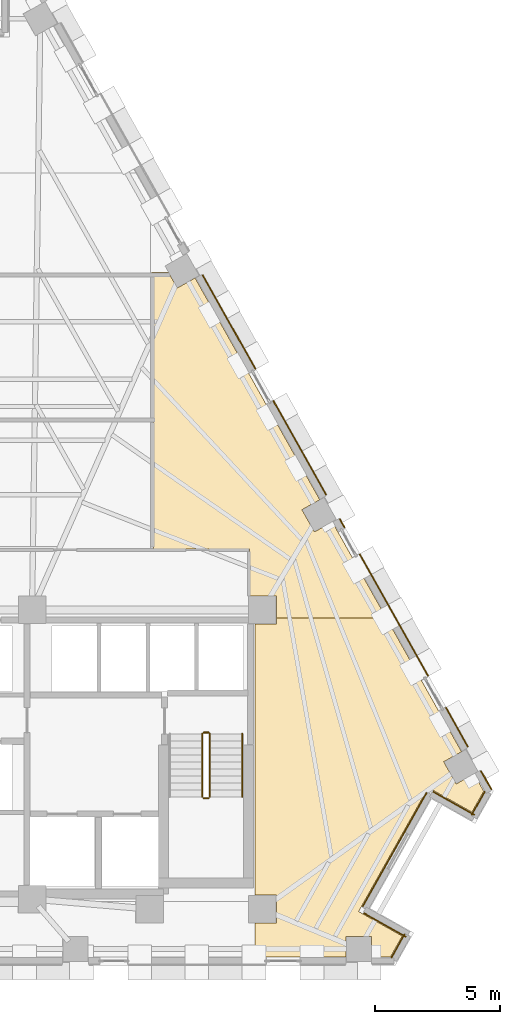
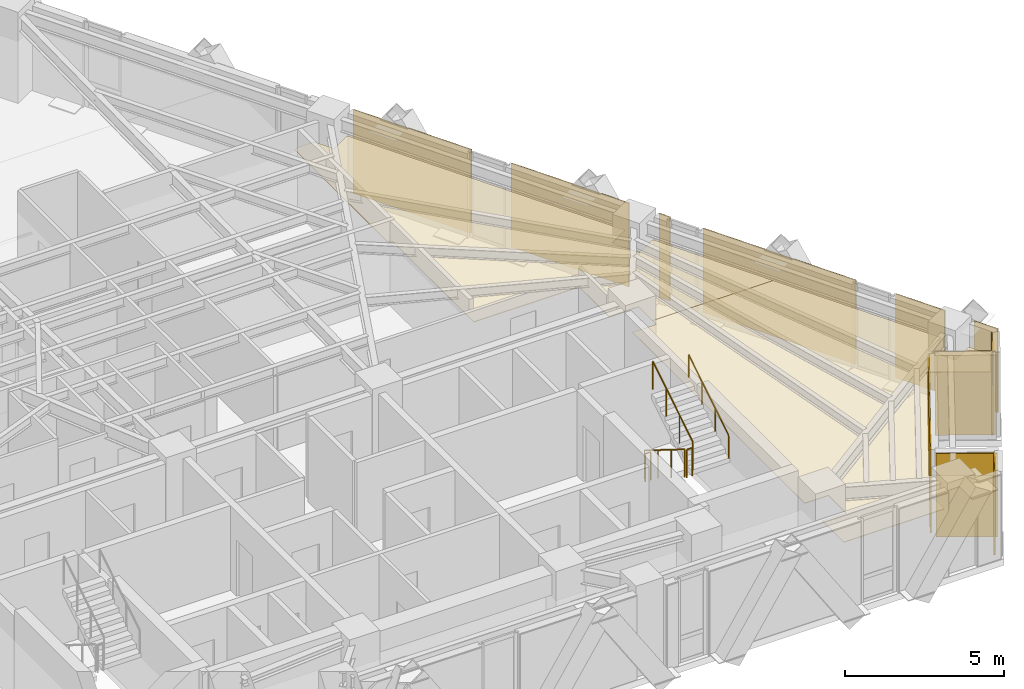
# One storey, part 12 of 13: 13 coverings, 5 railings.
"""IFC4 building model written with IfcOpenShell, lengths in metres."""

from ifc_helpers import new_model, si_unit, direction, frame, origin, origin_2d, place, context, subcontext, project, spatial, polyline, circle, outline, extrude, material, layer, layer_set, type_object, element, save


model = new_model("IFC4")

# Units and contexts
model_context = context("Model", 3, precision=1e-05, world=origin(), true_north=direction((0.0, 1.0)))
body_context = subcontext(model_context, "Body", "Model", "MODEL_VIEW")
ifc_project = project(units=[si_unit("LENGTHUNIT", "METRE"), si_unit("AREAUNIT", "SQUARE_METRE"), si_unit("VOLUMEUNIT", "CUBIC_METRE"), si_unit("PLANEANGLEUNIT", "RADIAN"), si_unit("MASSUNIT", "GRAM", prefix="KILO")], contexts=[model_context])

# Site, building, storey
site_placement = place(None, origin())
site = spatial("IfcSite", under=ifc_project, at=site_placement, CompositionType="ELEMENT")
building_placement = place(site_placement, origin())
building = spatial("IfcBuilding", under=site, at=building_placement, Name="Quenlor Broadcast Tower", CompositionType="ELEMENT")
storey_placement = place(building_placement, frame((0.0, 0.0, 147.5)))
storey = spatial("IfcBuildingStorey", under=building, at=storey_placement, Name="L40", CompositionType="ELEMENT", Elevation=147.5)

# Coverings
ifc_material_1 = material(Name="Acoustic Mineral Fibre Board", Category="other")
ifc_layer_1 = layer(ifc_material_1, 0.02490234375)
ifc_layer_set_1 = layer_set([ifc_layer_1], Name="Acoustic Perforated Mineral Tile Ceiling 25")
covering_type_1 = type_object("IfcCoveringType", Name="Acoustic Perforated Mineral Tile Ceiling 25", PredefinedType="CEILING", material=ifc_layer_set_1)
covering_1_placement = place(storey_placement, frame((0.0, 0.0, 2.375)))
element("IfcCovering", 1, at=covering_1_placement, inside=storey, type_object=covering_type_1, Name="L40 Acoustic Ceiling L40-35-2", PredefinedType="CEILING", context=body_context, shape_type="SweptSolid", body=[
    extrude(outline(polyline([(13.508056640625, -4.241943359375), (12.43994140625, -4.241943359375), (12.43994140625, -2.3701171875), (8.60009765625, -2.3701171875), (8.60009765625, 2.7099609375), (8.57080078125, 2.712890625), (8.54248046875, 2.721435546875), (8.5166015625, 2.7353515625), (8.493896484375, 2.75390625), (8.475341796875, 2.776611328125), (8.46142578125, 2.802490234375), (8.452880859375, 2.830810546875), (8.449951171875, 2.860107421875), (8.449951171875, 8.5400390625), (8.452880859375, 8.5693359375), (8.46142578125, 8.597412109375), (8.475341796875, 8.623291015625), (8.493896484375, 8.64599609375), (8.5166015625, 8.664794921875), (8.54248046875, 8.6787109375), (8.57080078125, 8.68701171875), (8.60009765625, 8.68994140625), (9.19580078125, 8.68994140625), (9.54931640625, 8.0615234375), (10.26220703125, 8.46240234375), (11.85791015625, 5.62548828125), (13.487060546875, 2.7294921875), (15.2451171875, -0.39599609375), (14.5322265625, -0.797119140625), (15.0302734375, -1.6826171875), (15.7431640625, -1.281494140625), (17.90234375, -5.1201171875), (13.508056640625, -5.1201171875), (13.508056640625, -4.241943359375)])), origin(), (0.0, 0.0, 1.0), 0.02490234375),
])
covering_2_placement = place(storey_placement, frame((0.0, 0.0, 2.375)))
element("IfcCovering", 2, at=covering_2_placement, inside=storey, type_object=covering_type_1, Name="L40 Acoustic Ceiling L40-35-6", PredefinedType="CEILING", context=body_context, shape_type="SweptSolid", body=[
    extrude(outline(polyline([(13.508056640625, -17.30810546875), (13.508056640625, -16.19189453125), (12.64990234375, -16.19189453125), (12.64990234375, -5.35791015625), (13.508056640625, -5.35791015625), (13.508056640625, -5.1201171875), (17.90234375, -5.1201171875), (20.90869140625, -10.46484375), (20.19580078125, -10.86572265625), (20.694091796875, -11.751220703125), (21.406982421875, -11.350341796875), (21.794921875, -12.0400390625), (21.323486328125, -12.878173828125), (19.580322265625, -11.8974609375), (16.795654296875, -16.847900390625), (18.538818359375, -17.82861328125), (18.071044921875, -18.659912109375), (17.31640625, -18.659912109375), (17.31640625, -17.842041015625), (16.30029296875, -17.842041015625), (16.30029296875, -18.659912109375), (12.64990234375, -18.659912109375), (12.64990234375, -17.30810546875), (13.508056640625, -17.30810546875)])), origin(), (0.0, 0.0, 1.0), 0.02490234375),
])
ifc_material_2 = material(Name="Architectural Terracotta Ceramic", Category="masonry")
ifc_layer_2 = layer(ifc_material_2, 0.044921875)
ifc_layer_set_2 = layer_set([ifc_layer_2], Name="Fluted Terracotta Rainscreen Cladding Panel")
covering_type_2 = type_object("IfcCoveringType", Name="Fluted Terracotta Rainscreen Cladding Panel", PredefinedType="CLADDING", material=ifc_layer_set_2)
covering_3_placement = place(storey_placement, frame((0.0, 0.0, 0.02001953125)))
element("IfcCovering", 3, at=covering_3_placement, inside=storey, type_object=covering_type_2, Name="L40 Terracotta Rainscreen Cladding L40-SHD-NES1", PredefinedType="CLADDING", context=body_context, shape_type="SweptSolid", body=[
    extrude(outline(polyline([(21.66162109375, -11.23779296875), (22.0859375, -11.992431640625), (22.125244140625, -11.970458984375), (21.70068359375, -11.2158203125), (21.66162109375, -11.23779296875)])), origin(), (0.0, 0.0, 1.0), 3.2099609375),
])
covering_4_placement = place(storey_placement, frame((0.0, 0.0, 0.02001953125)))
element("IfcCovering", 4, at=covering_4_placement, inside=storey, type_object=covering_type_2, Name="L40 Terracotta Rainscreen Cladding L40-NEC-SP1", PredefinedType="CLADDING", context=body_context, shape_type="SweptSolid", body=[
    extrude(outline(polyline([(16.025146484375, -1.1767578125), (16.22119140625, -1.525390625), (16.260498046875, -1.50341796875), (16.064453125, -1.15478515625), (16.025146484375, -1.1767578125)])), origin(), (0.0, 0.0, 1.0), 3.2099609375),
])
covering_5_placement = place(storey_placement, frame((0.0, 0.0, 0.02001953125)))
element("IfcCovering", 5, at=covering_5_placement, inside=storey, type_object=covering_type_2, Name="L40 Terracotta Rainscreen Cladding L40-NEC-SP2", PredefinedType="CLADDING", context=body_context, shape_type="SweptSolid", body=[
    extrude(outline(polyline([(16.81591796875, -2.582763671875), (19.55322265625, -7.44921875), (19.592529296875, -7.42724609375), (16.855224609375, -2.560791015625), (16.81591796875, -2.582763671875)])), origin(), (0.0, 0.0, 1.0), 3.2099609375),
])
covering_6_placement = place(storey_placement, frame((0.0, 0.0, 0.02001953125)))
element("IfcCovering", 6, at=covering_6_placement, inside=storey, type_object=covering_type_2, Name="L40 Terracotta Rainscreen Cladding L40-NEC-SP3", PredefinedType="CLADDING", context=body_context, shape_type="SweptSolid", body=[
    extrude(outline(polyline([(20.26416015625, -8.712646484375), (21.14453125, -10.278076171875), (21.183837890625, -10.256103515625), (20.30322265625, -8.690673828125), (20.26416015625, -8.712646484375)])), origin(), (0.0, 0.0, 1.0), 3.2099609375),
])
covering_7_placement = place(storey_placement, frame((0.0, 0.0, 0.02001953125)))
element("IfcCovering", 7, at=covering_7_placement, inside=storey, type_object=covering_type_2, Name="L40 Terracotta Rainscreen Cladding L40-NE-SP1", PredefinedType="CLADDING", context=body_context, shape_type="SweptSolid", body=[
    extrude(outline(polyline([(10.541748046875, 8.571533203125), (12.656982421875, 4.810791015625), (12.6962890625, 4.832763671875), (10.580810546875, 8.593505859375), (10.541748046875, 8.571533203125)])), origin(), (0.0, 0.0, 1.0), 3.2099609375),
])
covering_8_placement = place(storey_placement, frame((0.0, 0.0, 0.02001953125)))
element("IfcCovering", 8, at=covering_8_placement, inside=storey, type_object=covering_type_2, Name="L40 Terracotta Rainscreen Cladding L40-NE-SP2", PredefinedType="CLADDING", context=body_context, shape_type="SweptSolid", body=[
    extrude(outline(polyline([(13.367919921875, 3.547119140625), (15.4833984375, -0.213623046875), (15.522705078125, -0.191650390625), (13.4072265625, 3.569091796875), (13.367919921875, 3.547119140625)])), origin(), (0.0, 0.0, 1.0), 3.2099609375),
])
covering_9_placement = place(storey_placement, frame((0.0, 0.0, 0.02001953125)))
element("IfcCovering", 9, at=covering_9_placement, inside=storey, type_object=covering_type_2, Name="L40 Terracotta Rainscreen Cladding L40-CNR-01", PredefinedType="CLADDING", context=body_context, shape_type="SweptSolid", body=[
    extrude(outline(polyline([(18.702880859375, -17.8427734375), (17.011962890625, -16.8916015625), (16.989990234375, -16.930908203125), (18.680908203125, -17.882080078125), (18.702880859375, -17.8427734375)])), origin(), (0.0, 0.0, 1.0), 3.2099609375),
])
covering_10_placement = place(storey_placement, frame((0.0, 0.0, 0.02001953125)))
element("IfcCovering", 10, at=covering_10_placement, inside=storey, type_object=covering_type_2, Name="L40 Terracotta Rainscreen Cladding L40-CNR-02", PredefinedType="CLADDING", context=body_context, shape_type="SweptSolid", body=[
    extrude(outline(polyline([(16.9775390625, -16.663330078125), (19.53662109375, -12.11376953125), (19.49755859375, -12.091796875), (16.938232421875, -16.641357421875), (16.9775390625, -16.663330078125)])), origin(), (0.0, 0.0, 1.0), 3.2099609375),
])
covering_11_placement = place(storey_placement, frame((0.0, 0.0, 0.02001953125)))
element("IfcCovering", 11, at=covering_11_placement, inside=storey, type_object=covering_type_2, Name="L40 Terracotta Rainscreen Cladding L40-CNR-03", PredefinedType="CLADDING", context=body_context, shape_type="SweptSolid", body=[
    extrude(outline(polyline([(19.764892578125, -12.079345703125), (21.4208984375, -13.010986328125), (21.443115234375, -12.9716796875), (19.787109375, -12.0400390625), (19.764892578125, -12.079345703125)])), origin(), (0.0, 0.0, 1.0), 3.2099609375),
])
covering_12_placement = place(storey_placement, frame((0.0, 0.0, 0.02001953125)))
element("IfcCovering", 12, at=covering_12_placement, inside=storey, type_object=covering_type_2, Name="L40 Terracotta Rainscreen Cladding L40-CNR-04", PredefinedType="CLADDING", context=body_context, shape_type="SweptSolid", body=[
    extrude(outline(polyline([(21.328857421875, -13.007080078125), (21.859619140625, -12.0634765625), (21.820556640625, -12.04150390625), (21.289794921875, -12.985107421875), (21.328857421875, -13.007080078125)])), origin(), (0.0, 0.0, 1.0), 3.2099609375),
])
covering_13_placement = place(storey_placement, frame((0.0, 0.0, 0.02001953125)))
element("IfcCovering", 13, at=covering_13_placement, inside=storey, type_object=covering_type_2, Name="L40 Terracotta Rainscreen Cladding L40-CNR-18", PredefinedType="CLADDING", context=body_context, shape_type="SweptSolid", body=[
    extrude(outline(polyline([(18.122802734375, -18.70654296875), (18.652099609375, -17.76611328125), (18.61279296875, -17.743896484375), (18.083740234375, -18.6845703125), (18.122802734375, -18.70654296875)])), origin(), (0.0, 0.0, 1.0), 3.2099609375),
])

# Railings
ifc_material_3 = material(Name="Anodised Aluminium", Category="aluminium")
railing_type_1 = type_object("IfcRailingType", Name="Stainless Aluminium Wall Handrail 900", PredefinedType="HANDRAIL", material=ifc_material_3)
railing_1_placement = place(storey_placement, frame((12.14990234375, -12.27001953125, 1.925048828125)))
element("IfcRailing", 14, at=railing_1_placement, inside=storey, type_object=railing_type_1, Name="L40 ST-2 stair handrail 2", PredefinedType="HANDRAIL", context=body_context, shape_type="SweptSolid", body=[
    extrude(circle(Radius=0.02392578125, at=origin_2d()), frame((0.0, 0.0, 0.8759765625), z_axis=(0.0, 0.848007534815, 0.529984170421), x_axis=(-1.0, 0.0, 0.0)), (0.0, 0.0, 1.0), 2.9716796875),
    extrude(circle(Radius=0.02099609375, at=origin_2d()), origin(), (0.0, 0.0, 1.0), 0.851806640625),
    extrude(circle(Radius=0.02099609375, at=origin_2d()), frame((0.0, 0.840087890625, 0.52490234375)), (0.0, 0.0, 1.0), 0.851806640625),
    extrude(circle(Radius=0.02099609375, at=origin_2d()), frame((0.0, 1.679931640625, 1.050048828125)), (0.0, 0.0, 1.0), 0.851806640625),
    extrude(circle(Radius=0.02099609375, at=origin_2d()), frame((0.0, 2.52001953125, 1.574951171875)), (0.0, 0.0, 1.0), 0.851806640625),
])
ifc_material_4 = material(Name="Steel S355", Category="steel")
railing_type_2 = type_object("IfcRailingType", Name="Tubular Steel S355 Stair Guardrail 1100", PredefinedType="BALUSTRADE", material=ifc_material_4)
railing_2_placement = place(storey_placement, frame((10.550048828125, -9.75, 0.175048828125)))
element("IfcRailing", 15, at=railing_2_placement, inside=storey, type_object=railing_type_2, Name="L40 ST-2 stair guard 1", PredefinedType="BALUSTRADE", context=body_context, shape_type="SweptSolid", body=[
    extrude(circle(Radius=0.02392578125, at=origin_2d()), frame((0.0, 0.0, 1.076171875), z_axis=(0.0, -0.848007534815, 0.529984170421), x_axis=(1.0, 0.0, 0.0)), (0.0, 0.0, 1.0), 2.9716796875),
    extrude(circle(Radius=0.02099609375, at=origin_2d()), origin(), (0.0, 0.0, 1.0), 1.052001953125),
    extrude(circle(Radius=0.02099609375, at=origin_2d()), frame((0.0, -0.840087890625, 0.52490234375)), (0.0, 0.0, 1.0), 1.052001953125),
    extrude(circle(Radius=0.02099609375, at=origin_2d()), frame((0.0, -1.679931640625, 1.050048828125)), (0.0, 0.0, 1.0), 1.052001953125),
    extrude(circle(Radius=0.02099609375, at=origin_2d()), frame((0.0, -2.52001953125, 1.574951171875)), (0.0, 0.0, 1.0), 1.052001953125),
])
railing_3_placement = place(storey_placement, frame((10.60009765625, -12.320068359375, 1.75)))
element("IfcRailing", 16, at=railing_3_placement, inside=storey, type_object=railing_type_2, Name="L40 ST-2 stair guard 2", PredefinedType="BALUSTRADE", context=body_context, shape_type="SweptSolid", body=[
    extrude(circle(Radius=0.02392578125, at=origin_2d()), frame((0.0, 0.0, 1.076171875), z_axis=(1.0, 0.0, 0.0), x_axis=(0.0, 1.0, 0.0)), (0.0, 0.0, 1.0), 0.199951171875),
    extrude(circle(Radius=0.02099609375, at=origin_2d()), origin(), (0.0, 0.0, 1.0), 1.052001953125),
    extrude(circle(Radius=0.02099609375, at=origin_2d()), frame((0.199951171875, 0.0, 0.0)), (0.0, 0.0, 1.0), 1.052001953125),
])
railing_4_placement = place(storey_placement, frame((10.85009765625, -12.27001953125, 1.925048828125)))
element("IfcRailing", 17, at=railing_4_placement, inside=storey, type_object=railing_type_2, Name="L40 ST-2 stair guard 3", PredefinedType="BALUSTRADE", context=body_context, shape_type="SweptSolid", body=[
    extrude(circle(Radius=0.02392578125, at=origin_2d()), frame((0.0, 0.0, 1.076171875), z_axis=(0.0, 0.848007534815, 0.529984170421), x_axis=(-1.0, 0.0, 0.0)), (0.0, 0.0, 1.0), 2.9716796875),
    extrude(circle(Radius=0.02099609375, at=origin_2d()), origin(), (0.0, 0.0, 1.0), 1.052001953125),
    extrude(circle(Radius=0.02099609375, at=origin_2d()), frame((0.0, 0.840087890625, 0.52490234375)), (0.0, 0.0, 1.0), 1.052001953125),
    extrude(circle(Radius=0.02099609375, at=origin_2d()), frame((0.0, 1.679931640625, 1.050048828125)), (0.0, 0.0, 1.0), 1.052001953125),
    extrude(circle(Radius=0.02099609375, at=origin_2d()), frame((0.0, 2.52001953125, 1.574951171875)), (0.0, 0.0, 1.0), 1.052001953125),
])
railing_5_placement = place(storey_placement, frame((10.60009765625, -9.699951171875, 0.0)))
element("IfcRailing", 18, at=railing_5_placement, inside=storey, type_object=railing_type_2, Name="L40 ST-2 stair guard 4", PredefinedType="BALUSTRADE", context=body_context, shape_type="SweptSolid", body=[
    extrude(circle(Radius=0.02392578125, at=origin_2d()), frame((0.0, 0.0, 1.076171875), z_axis=(1.0, 0.0, 0.0), x_axis=(0.0, 1.0, 0.0)), (0.0, 0.0, 1.0), 0.199951171875),
    extrude(circle(Radius=0.02099609375, at=origin_2d()), origin(), (0.0, 0.0, 1.0), 1.052001953125),
    extrude(circle(Radius=0.02099609375, at=origin_2d()), frame((0.199951171875, 0.0, 0.0)), (0.0, 0.0, 1.0), 1.052001953125),
])

save(model, "model.ifc")
